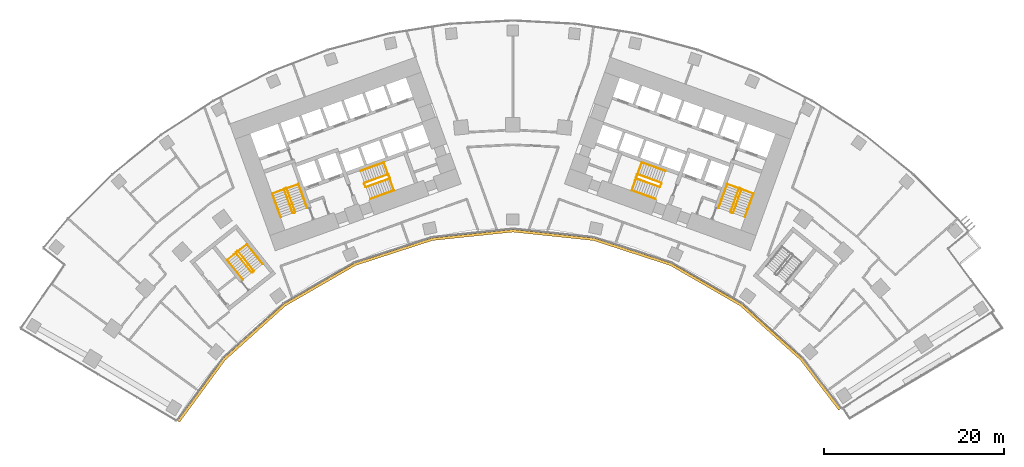
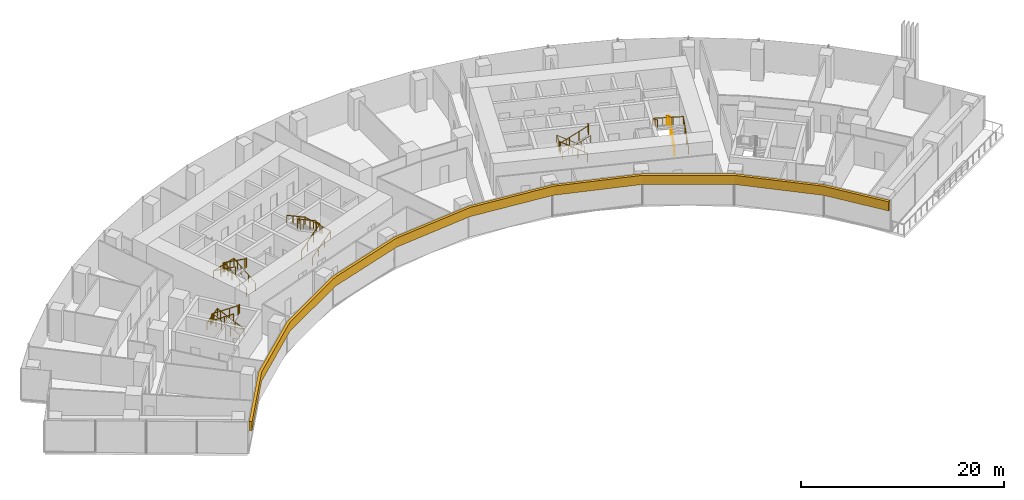
# One storey, part 20 of 21: 15 railings, 1 covering.
"""IFC4 building model written with IfcOpenShell, lengths in metres."""

from ifc_helpers import new_model, si_unit, direction, frame, origin, origin_2d, place, context, subcontext, project, spatial, polyline, circle, outline, extrude, material, layer, layer_set, type_object, element, save


model = new_model("IFC4")

# Units and contexts
model_context = context("Model", 3, precision=1e-05, world=origin(), true_north=direction((0.0, 1.0)))
body_context = subcontext(model_context, "Body", "Model", "MODEL_VIEW")
ifc_project = project(units=[si_unit("LENGTHUNIT", "METRE"), si_unit("AREAUNIT", "SQUARE_METRE"), si_unit("VOLUMEUNIT", "CUBIC_METRE"), si_unit("PLANEANGLEUNIT", "RADIAN"), si_unit("MASSUNIT", "GRAM", prefix="KILO")], contexts=[model_context])

# Site, building, storey
site_placement = place(None, origin())
site = spatial("IfcSite", under=ifc_project, at=site_placement, CompositionType="ELEMENT")
building_placement = place(site_placement, origin())
building = spatial("IfcBuilding", under=site, at=building_placement, Name="Stone Belt Terrace Tower", CompositionType="ELEMENT")
storey_placement = place(building_placement, frame((0.0, 0.0, 45.199951171875)))
storey = spatial("IfcBuildingStorey", under=building, at=storey_placement, Name="L10", CompositionType="ELEMENT", Elevation=45.199951171875)

# Railings
ifc_material_1 = material(Name="Structural steel C345", Category="steel")
railing_type_1 = type_object("IfcRailingType", Name="Stair guard 1100", PredefinedType="GUARDRAIL", material=ifc_material_1)
railing_1_placement = place(storey_placement, frame((-24.2119140625, 45.276123046875, 0.1728515625)))
element("IfcRailing", 1, at=railing_1_placement, inside=storey, type_object=railing_type_1, Name="L10 ST1A stair guard 1", PredefinedType="GUARDRAIL", context=body_context, shape_type="SweptSolid", body=[
    extrude(circle(Radius=0.02392578125, at=origin_2d()), frame((0.0, 0.0, 1.076171875), z_axis=(-0.288228637646, 0.800791768495, 0.525030280985), x_axis=(-0.940908529223, -0.338660803216, 0.0)), (0.0, 0.0, 1.0), 3.289794921875),
    extrude(circle(Radius=0.02392578125, at=origin_2d()), frame((-0.9482421875, 2.634521484375, 2.80322265625), z_axis=(-0.905209821074, 0.424964916, 0.0), x_axis=(-0.424964916, -0.905209821074, 0.0)), (0.0, 0.0, 1.0), 0.070556640625),
    extrude(circle(Radius=0.02392578125, at=origin_2d()), frame((-1.01220703125, 2.66455078125, 2.80322265625), z_axis=(-0.941105063269, -0.338114270461, 0.0), x_axis=(0.338114270461, -0.941105063269, 0.0)), (0.0, 0.0, 1.0), 0.199951171875),
    extrude(circle(Radius=0.02099609375, at=origin_2d()), origin(), (0.0, 0.0, 1.0), 1.052001953125),
    extrude(circle(Radius=0.02099609375, at=origin_2d()), frame((-0.316162109375, 0.878173828125, 0.57568359375)), (0.0, 0.0, 1.0), 1.052001953125),
    extrude(circle(Radius=0.02099609375, at=origin_2d()), frame((-0.632080078125, 1.75634765625, 1.151611328125)), (0.0, 0.0, 1.0), 1.052001953125),
    extrude(circle(Radius=0.02099609375, at=origin_2d()), frame((-0.9482421875, 2.634521484375, 1.727294921875)), (0.0, 0.0, 1.0), 1.052001953125),
    extrude(circle(Radius=0.02099609375, at=origin_2d()), frame((-1.01220703125, 2.66455078125, 1.727294921875)), (0.0, 0.0, 1.0), 1.052001953125),
    extrude(circle(Radius=0.02099609375, at=origin_2d()), frame((-1.200439453125, 2.596923828125, 1.727294921875)), (0.0, 0.0, 1.0), 1.052001953125),
])
railing_2_placement = place(storey_placement, frame((-25.4423828125, 47.80908203125, 2.07275390625)))
element("IfcRailing", 2, at=railing_2_placement, inside=storey, type_object=railing_type_1, Name="L10 ST1A stair guard 2", PredefinedType="GUARDRAIL", context=body_context, shape_type="SweptSolid", body=[
    extrude(circle(Radius=0.02392578125, at=origin_2d()), frame((0.0, 0.0, 1.076171875), z_axis=(0.288228637646, -0.800791768495, 0.525030280985), x_axis=(0.940908529223, 0.338660803216, 0.0)), (0.0, 0.0, 1.0), 3.289794921875),
    extrude(circle(Radius=0.02392578125, at=origin_2d()), frame((0.9482421875, -2.634521484375, 2.80322265625), z_axis=(0.903878284585, -0.427789722475, 0.0), x_axis=(0.427789722475, 0.903878284585, 0.0)), (0.0, 0.0, 1.0), 0.07080078125),
    extrude(circle(Radius=0.02392578125, at=origin_2d()), frame((1.01220703125, -2.664794921875, 2.80322265625), z_axis=(0.940575576748, 0.339584429008, 0.0), x_axis=(-0.339584429008, 0.940575576748, 0.0)), (0.0, 0.0, 1.0), 0.199951171875),
    extrude(circle(Radius=0.02099609375, at=origin_2d()), origin(), (0.0, 0.0, 1.0), 1.052001953125),
    extrude(circle(Radius=0.02099609375, at=origin_2d()), frame((0.316162109375, -0.878173828125, 0.57568359375)), (0.0, 0.0, 1.0), 1.052001953125),
    extrude(circle(Radius=0.02099609375, at=origin_2d()), frame((0.632080078125, -1.75634765625, 1.151611328125)), (0.0, 0.0, 1.0), 1.052001953125),
    extrude(circle(Radius=0.02099609375, at=origin_2d()), frame((0.9482421875, -2.634521484375, 1.727294921875)), (0.0, 0.0, 1.0), 1.052001953125),
    extrude(circle(Radius=0.02099609375, at=origin_2d()), frame((1.01220703125, -2.664794921875, 1.727294921875)), (0.0, 0.0, 1.0), 1.052001953125),
    extrude(circle(Radius=0.02099609375, at=origin_2d()), frame((1.2001953125, -2.596923828125, 1.727294921875)), (0.0, 0.0, 1.0), 1.052001953125),
])
railing_3_placement = place(storey_placement, frame((-16.33837890625, 48.056640625, 0.1728515625)))
element("IfcRailing", 3, at=railing_3_placement, inside=storey, type_object=railing_type_1, Name="L10 ST2A stair guard 1", PredefinedType="GUARDRAIL", context=body_context, shape_type="SweptSolid", body=[
    extrude(circle(Radius=0.02392578125, at=origin_2d()), frame((0.0, 0.0, 1.076171875), z_axis=(0.800808895155, 0.288160591223, 0.52504150989), x_axis=(-0.338583606334, 0.940936311087, 0.0)), (0.0, 0.0, 1.0), 3.289794921875),
    extrude(circle(Radius=0.02392578125, at=origin_2d()), frame((2.634521484375, 0.947998046875, 2.80322265625), z_axis=(0.427789722475, 0.903878284585, 0.0), x_axis=(-0.903878284585, 0.427789722475, 0.0)), (0.0, 0.0, 1.0), 0.07080078125),
    extrude(circle(Radius=0.02392578125, at=origin_2d()), frame((2.664794921875, 1.011962890625, 2.80322265625), z_axis=(-0.338654645739, 0.940910745459, 0.0), x_axis=(-0.940910745459, -0.338654645739, 0.0)), (0.0, 0.0, 1.0), 0.400146484375),
    extrude(circle(Radius=0.02099609375, at=origin_2d()), origin(), (0.0, 0.0, 1.0), 1.052001953125),
    extrude(circle(Radius=0.02099609375, at=origin_2d()), frame((0.878173828125, 0.31591796875, 0.57568359375)), (0.0, 0.0, 1.0), 1.052001953125),
    extrude(circle(Radius=0.02099609375, at=origin_2d()), frame((1.75634765625, 0.632080078125, 1.151611328125)), (0.0, 0.0, 1.0), 1.052001953125),
    extrude(circle(Radius=0.02099609375, at=origin_2d()), frame((2.634521484375, 0.947998046875, 1.727294921875)), (0.0, 0.0, 1.0), 1.052001953125),
    extrude(circle(Radius=0.02099609375, at=origin_2d()), frame((2.664794921875, 1.011962890625, 1.727294921875)), (0.0, 0.0, 1.0), 1.052001953125),
    extrude(circle(Radius=0.02099609375, at=origin_2d()), frame((2.529296875, 1.388427734375, 1.727294921875)), (0.0, 0.0, 1.0), 1.052001953125),
])
railing_4_placement = place(storey_placement, frame((-13.873046875, 49.47509765625, 2.07275390625)))
element("IfcRailing", 4, at=railing_4_placement, inside=storey, type_object=railing_type_1, Name="L10 ST2A stair guard 2", PredefinedType="GUARDRAIL", context=body_context, shape_type="SweptSolid", body=[
    extrude(circle(Radius=0.02392578125, at=origin_2d()), frame((0.0, 0.0, 1.076171875), z_axis=(-0.800808895155, -0.288160591223, 0.52504150989), x_axis=(0.338583606334, -0.940936311087, 0.0)), (0.0, 0.0, 1.0), 3.289794921875),
    extrude(circle(Radius=0.02392578125, at=origin_2d()), frame((-2.634521484375, -0.947998046875, 2.80322265625), z_axis=(-0.427789722475, -0.903878284585, 0.0), x_axis=(0.903878284585, -0.427789722475, 0.0)), (0.0, 0.0, 1.0), 0.07080078125),
    extrude(circle(Radius=0.02392578125, at=origin_2d()), frame((-2.664794921875, -1.011962890625, 2.80322265625), z_axis=(0.338654645739, -0.940910745459, 0.0), x_axis=(0.940910745459, 0.338654645739, 0.0)), (0.0, 0.0, 1.0), 0.400146484375),
    extrude(circle(Radius=0.02099609375, at=origin_2d()), origin(), (0.0, 0.0, 1.0), 1.052001953125),
    extrude(circle(Radius=0.02099609375, at=origin_2d()), frame((-0.878173828125, -0.31591796875, 0.57568359375)), (0.0, 0.0, 1.0), 1.052001953125),
    extrude(circle(Radius=0.02099609375, at=origin_2d()), frame((-1.75634765625, -0.632080078125, 1.151611328125)), (0.0, 0.0, 1.0), 1.052001953125),
    extrude(circle(Radius=0.02099609375, at=origin_2d()), frame((-2.634521484375, -0.947998046875, 1.727294921875)), (0.0, 0.0, 1.0), 1.052001953125),
    extrude(circle(Radius=0.02099609375, at=origin_2d()), frame((-2.664794921875, -1.011962890625, 1.727294921875)), (0.0, 0.0, 1.0), 1.052001953125),
    extrude(circle(Radius=0.02099609375, at=origin_2d()), frame((-2.529296875, -1.388427734375, 1.727294921875)), (0.0, 0.0, 1.0), 1.052001953125),
])
railing_5_placement = place(storey_placement, frame((24.494140625, 45.174560546875, 0.1728515625)))
element("IfcRailing", 5, at=railing_5_placement, inside=storey, type_object=railing_type_1, Name="L10 ST1B stair guard 1", PredefinedType="GUARDRAIL", context=body_context, shape_type="SweptSolid", body=[
    extrude(circle(Radius=0.02392578125, at=origin_2d()), frame((0.0, 0.0, 1.076171875), z_axis=(0.288228637646, 0.800791768495, 0.525030280985), x_axis=(-0.940908529223, 0.338660803216, 0.0)), (0.0, 0.0, 1.0), 3.289794921875),
    extrude(circle(Radius=0.02392578125, at=origin_2d()), frame((0.9482421875, 2.634521484375, 2.80322265625), z_axis=(-0.424964916, 0.905209821074, 0.0), x_axis=(-0.905209821074, -0.424964916, 0.0)), (0.0, 0.0, 1.0), 0.070556640625),
    extrude(circle(Radius=0.02392578125, at=origin_2d()), frame((0.918212890625, 2.698486328125, 2.80322265625), z_axis=(-0.941105063269, 0.338114270461, 0.0), x_axis=(-0.338114270461, -0.941105063269, 0.0)), (0.0, 0.0, 1.0), 0.199951171875),
    extrude(circle(Radius=0.02099609375, at=origin_2d()), origin(), (0.0, 0.0, 1.0), 1.052001953125),
    extrude(circle(Radius=0.02099609375, at=origin_2d()), frame((0.316162109375, 0.878173828125, 0.57568359375)), (0.0, 0.0, 1.0), 1.052001953125),
    extrude(circle(Radius=0.02099609375, at=origin_2d()), frame((0.632080078125, 1.75634765625, 1.151611328125)), (0.0, 0.0, 1.0), 1.052001953125),
    extrude(circle(Radius=0.02099609375, at=origin_2d()), frame((0.9482421875, 2.634521484375, 1.727294921875)), (0.0, 0.0, 1.0), 1.052001953125),
    extrude(circle(Radius=0.02099609375, at=origin_2d()), frame((0.918212890625, 2.698486328125, 1.727294921875)), (0.0, 0.0, 1.0), 1.052001953125),
    extrude(circle(Radius=0.02099609375, at=origin_2d()), frame((0.72998046875, 2.76611328125, 1.727294921875)), (0.0, 0.0, 1.0), 1.052001953125),
])
railing_6_placement = place(storey_placement, frame((25.16015625, 47.91064453125, 2.07275390625)))
element("IfcRailing", 6, at=railing_6_placement, inside=storey, type_object=railing_type_1, Name="L10 ST1B stair guard 2", PredefinedType="GUARDRAIL", context=body_context, shape_type="SweptSolid", body=[
    extrude(circle(Radius=0.02392578125, at=origin_2d()), frame((0.0, 0.0, 1.076171875), z_axis=(-0.288228637646, -0.800791768495, 0.525030280985), x_axis=(0.940908529223, -0.338660803216, 0.0)), (0.0, 0.0, 1.0), 3.289794921875),
    extrude(circle(Radius=0.02392578125, at=origin_2d()), frame((-0.9482421875, -2.634521484375, 2.80322265625), z_axis=(0.427789722475, -0.903878284585, 0.0), x_axis=(0.903878284585, 0.427789722475, 0.0)), (0.0, 0.0, 1.0), 0.07080078125),
    extrude(circle(Radius=0.02392578125, at=origin_2d()), frame((-0.91796875, -2.698486328125, 2.80322265625), z_axis=(0.940575576748, -0.339584429008, 0.0), x_axis=(0.339584429008, 0.940575576748, 0.0)), (0.0, 0.0, 1.0), 0.199951171875),
    extrude(circle(Radius=0.02099609375, at=origin_2d()), origin(), (0.0, 0.0, 1.0), 1.052001953125),
    extrude(circle(Radius=0.02099609375, at=origin_2d()), frame((-0.316162109375, -0.878173828125, 0.57568359375)), (0.0, 0.0, 1.0), 1.052001953125),
    extrude(circle(Radius=0.02099609375, at=origin_2d()), frame((-0.632080078125, -1.75634765625, 1.151611328125)), (0.0, 0.0, 1.0), 1.052001953125),
    extrude(circle(Radius=0.02099609375, at=origin_2d()), frame((-0.9482421875, -2.634521484375, 1.727294921875)), (0.0, 0.0, 1.0), 1.052001953125),
    extrude(circle(Radius=0.02099609375, at=origin_2d()), frame((-0.91796875, -2.698486328125, 1.727294921875)), (0.0, 0.0, 1.0), 1.052001953125),
    extrude(circle(Radius=0.02099609375, at=origin_2d()), frame((-0.72998046875, -2.766357421875, 1.727294921875)), (0.0, 0.0, 1.0), 1.052001953125),
])
railing_7_placement = place(storey_placement, frame((16.507568359375, 48.527099609375, 0.1728515625)))
element("IfcRailing", 7, at=railing_7_placement, inside=storey, type_object=railing_type_1, Name="L10 ST2B stair guard 1", PredefinedType="GUARDRAIL", context=body_context, shape_type="SweptSolid", body=[
    extrude(circle(Radius=0.02392578125, at=origin_2d()), frame((0.0, 0.0, 1.076171875), z_axis=(-0.800808895155, 0.288160591223, 0.52504150989), x_axis=(-0.338583606334, -0.940936311087, 0.0)), (0.0, 0.0, 1.0), 3.289794921875),
    extrude(circle(Radius=0.02392578125, at=origin_2d()), frame((-2.634521484375, 0.947998046875, 2.80322265625), z_axis=(-0.905209821074, -0.424964916, 0.0), x_axis=(0.424964916, -0.905209821074, 0.0)), (0.0, 0.0, 1.0), 0.070556640625),
    extrude(circle(Radius=0.02392578125, at=origin_2d()), frame((-2.698486328125, 0.91796875, 2.80322265625), z_axis=(-0.338654645739, -0.940910745459, 0.0), x_axis=(0.940910745459, -0.338654645739, 0.0)), (0.0, 0.0, 1.0), 0.400146484375),
    extrude(circle(Radius=0.02099609375, at=origin_2d()), origin(), (0.0, 0.0, 1.0), 1.052001953125),
    extrude(circle(Radius=0.02099609375, at=origin_2d()), frame((-0.878173828125, 0.31591796875, 0.57568359375)), (0.0, 0.0, 1.0), 1.052001953125),
    extrude(circle(Radius=0.02099609375, at=origin_2d()), frame((-1.75634765625, 0.632080078125, 1.151611328125)), (0.0, 0.0, 1.0), 1.052001953125),
    extrude(circle(Radius=0.02099609375, at=origin_2d()), frame((-2.634521484375, 0.947998046875, 1.727294921875)), (0.0, 0.0, 1.0), 1.052001953125),
    extrude(circle(Radius=0.02099609375, at=origin_2d()), frame((-2.698486328125, 0.91796875, 1.727294921875)), (0.0, 0.0, 1.0), 1.052001953125),
    extrude(circle(Radius=0.02099609375, at=origin_2d()), frame((-2.833984375, 0.54150390625, 1.727294921875)), (0.0, 0.0, 1.0), 1.052001953125),
])
railing_8_placement = place(storey_placement, frame((13.703857421875, 49.004638671875, 2.07275390625)))
element("IfcRailing", 8, at=railing_8_placement, inside=storey, type_object=railing_type_1, Name="L10 ST2B stair guard 2", PredefinedType="GUARDRAIL", context=body_context, shape_type="SweptSolid", body=[
    extrude(circle(Radius=0.02392578125, at=origin_2d()), frame((0.0, 0.0, 1.076171875), z_axis=(0.800808895155, -0.288160591223, 0.52504150989), x_axis=(0.338583606334, 0.940936311087, 0.0)), (0.0, 0.0, 1.0), 3.289794921875),
    extrude(circle(Radius=0.02392578125, at=origin_2d()), frame((2.634521484375, -0.947998046875, 2.80322265625), z_axis=(0.905209821074, 0.424964916, 0.0), x_axis=(-0.424964916, 0.905209821074, 0.0)), (0.0, 0.0, 1.0), 0.070556640625),
    extrude(circle(Radius=0.02392578125, at=origin_2d()), frame((2.698486328125, -0.91796875, 2.80322265625), z_axis=(0.338654645739, 0.940910745459, 0.0), x_axis=(-0.940910745459, 0.338654645739, 0.0)), (0.0, 0.0, 1.0), 0.400146484375),
    extrude(circle(Radius=0.02099609375, at=origin_2d()), origin(), (0.0, 0.0, 1.0), 1.052001953125),
    extrude(circle(Radius=0.02099609375, at=origin_2d()), frame((0.878173828125, -0.31591796875, 0.57568359375)), (0.0, 0.0, 1.0), 1.052001953125),
    extrude(circle(Radius=0.02099609375, at=origin_2d()), frame((1.75634765625, -0.632080078125, 1.151611328125)), (0.0, 0.0, 1.0), 1.052001953125),
    extrude(circle(Radius=0.02099609375, at=origin_2d()), frame((2.634521484375, -0.947998046875, 1.727294921875)), (0.0, 0.0, 1.0), 1.052001953125),
    extrude(circle(Radius=0.02099609375, at=origin_2d()), frame((2.698486328125, -0.91796875, 1.727294921875)), (0.0, 0.0, 1.0), 1.052001953125),
    extrude(circle(Radius=0.02099609375, at=origin_2d()), frame((2.833984375, -0.54150390625, 1.727294921875)), (0.0, 0.0, 1.0), 1.052001953125),
])
railing_9_placement = place(storey_placement, frame((-28.814208984375, 38.734619140625, 0.1728515625)))
element("IfcRailing", 9, at=railing_9_placement, inside=storey, type_object=railing_type_1, Name="L10 ST3A stair guard 1", PredefinedType="GUARDRAIL", context=body_context, shape_type="SweptSolid", body=[
    extrude(circle(Radius=0.02392578125, at=origin_2d()), frame((0.0, 0.0, 1.076171875), z_axis=(-0.530306321799, 0.665665785969, 0.525037395288), x_axis=(-0.782143211408, -0.623098705543, 0.0)), (0.0, 0.0, 1.0), 3.289794921875),
    extrude(circle(Radius=0.02392578125, at=origin_2d()), frame((-1.74462890625, 2.18994140625, 2.80322265625), z_axis=(-0.993883734674, 0.110431526075, 0.0), x_axis=(-0.110431526075, -0.993883734674, 0.0)), (0.0, 0.0, 1.0), 0.07080078125),
    extrude(circle(Radius=0.02392578125, at=origin_2d()), frame((-1.81494140625, 2.19775390625, 2.80322265625), z_axis=(-0.782533463299, -0.622608527742, 0.0), x_axis=(0.622608527742, -0.782533463299, 0.0)), (0.0, 0.0, 1.0), 0.199951171875),
    extrude(circle(Radius=0.02099609375, at=origin_2d()), origin(), (0.0, 0.0, 1.0), 1.052001953125),
    extrude(circle(Radius=0.02099609375, at=origin_2d()), frame((-0.58154296875, 0.72998046875, 0.57568359375)), (0.0, 0.0, 1.0), 1.052001953125),
    extrude(circle(Radius=0.02099609375, at=origin_2d()), frame((-1.1630859375, 1.4599609375, 1.151611328125)), (0.0, 0.0, 1.0), 1.052001953125),
    extrude(circle(Radius=0.02099609375, at=origin_2d()), frame((-1.74462890625, 2.18994140625, 1.727294921875)), (0.0, 0.0, 1.0), 1.052001953125),
    extrude(circle(Radius=0.02099609375, at=origin_2d()), frame((-1.81494140625, 2.19775390625, 1.727294921875)), (0.0, 0.0, 1.0), 1.052001953125),
    extrude(circle(Radius=0.02099609375, at=origin_2d()), frame((-1.971435546875, 2.0732421875, 1.727294921875)), (0.0, 0.0, 1.0), 1.052001953125),
])
railing_10_placement = place(storey_placement, frame((-30.793701171875, 40.737548828125, 2.07275390625)))
element("IfcRailing", 10, at=railing_10_placement, inside=storey, type_object=railing_type_1, Name="L10 ST3A stair guard 2", PredefinedType="GUARDRAIL", context=body_context, shape_type="SweptSolid", body=[
    extrude(circle(Radius=0.02392578125, at=origin_2d()), frame((0.0, 0.0, 1.076171875), z_axis=(0.530359659125, -0.665639588968, 0.525016732659), x_axis=(0.782100716982, 0.62315204284, 0.0)), (0.0, 0.0, 1.0), 3.2900390625),
    extrude(circle(Radius=0.02392578125, at=origin_2d()), frame((1.744873046875, -2.18994140625, 2.80322265625), z_axis=(0.993499272973, -0.113838458361, 0.0), x_axis=(0.113838458361, 0.993499272973, 0.0)), (0.0, 0.0, 1.0), 0.07080078125),
    extrude(circle(Radius=0.02392578125, at=origin_2d()), frame((1.815185546875, -2.197998046875, 2.80322265625), z_axis=(0.781464082609, 0.623950228458, 0.0), x_axis=(-0.623950228458, 0.781464082609, 0.0)), (0.0, 0.0, 1.0), 0.199951171875),
    extrude(circle(Radius=0.02099609375, at=origin_2d()), origin(), (0.0, 0.0, 1.0), 1.052001953125),
    extrude(circle(Radius=0.02099609375, at=origin_2d()), frame((0.58154296875, -0.72998046875, 0.57568359375)), (0.0, 0.0, 1.0), 1.052001953125),
    extrude(circle(Radius=0.02099609375, at=origin_2d()), frame((1.163330078125, -1.4599609375, 1.151611328125)), (0.0, 0.0, 1.0), 1.052001953125),
    extrude(circle(Radius=0.02099609375, at=origin_2d()), frame((1.744873046875, -2.18994140625, 1.727294921875)), (0.0, 0.0, 1.0), 1.052001953125),
    extrude(circle(Radius=0.02099609375, at=origin_2d()), frame((1.815185546875, -2.197998046875, 1.727294921875)), (0.0, 0.0, 1.0), 1.052001953125),
    extrude(circle(Radius=0.02099609375, at=origin_2d()), frame((1.971435546875, -2.0732421875, 1.727294921875)), (0.0, 0.0, 1.0), 1.052001953125),
])
railing_type_2 = type_object("IfcRailingType", Name="Stair handrail 900", PredefinedType="HANDRAIL", material=ifc_material_1)
railing_11_placement = place(storey_placement, frame((-22.894775390625, 45.750244140625, 0.1728515625)))
element("IfcRailing", 11, at=railing_11_placement, inside=storey, type_object=railing_type_2, Name="L10 ST1A stair handrail 1", PredefinedType="HANDRAIL", context=body_context, shape_type="SweptSolid", body=[
    extrude(circle(Radius=0.02392578125, at=origin_2d()), frame((0.0, 0.0, 0.8759765625), z_axis=(-0.288160591223, 0.800808895155, 0.52504150989), x_axis=(-0.940936311087, -0.338583606334, 0.0)), (0.0, 0.0, 1.0), 3.289794921875),
    extrude(circle(Radius=0.02392578125, at=origin_2d()), frame((-0.947998046875, 2.634521484375, 2.60302734375), z_axis=(-0.939464517435, -0.338106580597, 0.055591012205), x_axis=(0.338630230244, -0.940919532779, 0.0)), (0.0, 0.0, 1.0), 3.10498046875),
    extrude(circle(Radius=0.02392578125, at=origin_2d()), frame((-3.864990234375, 1.584716796875, 2.77587890625), z_axis=(0.288228637646, -0.800791768495, 0.525030280985), x_axis=(0.940908529223, 0.338660803216, 0.0)), (0.0, 0.0, 1.0), 3.289794921875),
    extrude(circle(Radius=0.02099609375, at=origin_2d()), origin(), (0.0, 0.0, 1.0), 0.851806640625),
    extrude(circle(Radius=0.02099609375, at=origin_2d()), frame((-0.31591796875, 0.878173828125, 0.57568359375)), (0.0, 0.0, 1.0), 0.851806640625),
    extrude(circle(Radius=0.02099609375, at=origin_2d()), frame((-0.632080078125, 1.75634765625, 1.151611328125)), (0.0, 0.0, 1.0), 0.851806640625),
    extrude(circle(Radius=0.02099609375, at=origin_2d()), frame((-0.947998046875, 2.634521484375, 1.727294921875)), (0.0, 0.0, 1.0), 0.851806640625),
    extrude(circle(Radius=0.02099609375, at=origin_2d()), frame((-1.92041015625, 2.28466796875, 1.784912109375)), (0.0, 0.0, 1.0), 0.851806640625),
    extrude(circle(Radius=0.02099609375, at=origin_2d()), frame((-2.892578125, 1.9345703125, 1.84228515625)), (0.0, 0.0, 1.0), 0.851806640625),
    extrude(circle(Radius=0.02099609375, at=origin_2d()), frame((-3.864990234375, 1.584716796875, 1.89990234375)), (0.0, 0.0, 1.0), 0.851806640625),
    extrude(circle(Radius=0.02099609375, at=origin_2d()), frame((-3.548828125, 0.70654296875, 2.4755859375)), (0.0, 0.0, 1.0), 0.851806640625),
    extrude(circle(Radius=0.02099609375, at=origin_2d()), frame((-3.23291015625, -0.171630859375, 3.051513671875)), (0.0, 0.0, 1.0), 0.851806640625),
    extrude(circle(Radius=0.02099609375, at=origin_2d()), frame((-2.916748046875, -1.0498046875, 3.627197265625)), (0.0, 0.0, 1.0), 0.851806640625),
])
railing_12_placement = place(storey_placement, frame((-15.8642578125, 46.7392578125, 0.1728515625)))
element("IfcRailing", 12, at=railing_12_placement, inside=storey, type_object=railing_type_2, Name="L10 ST2A stair handrail 1", PredefinedType="HANDRAIL", context=body_context, shape_type="SweptSolid", body=[
    extrude(circle(Radius=0.02392578125, at=origin_2d()), frame((0.0, 0.0, 0.8759765625), z_axis=(0.800791768495, 0.288228637646, 0.525030280985), x_axis=(-0.338660803216, 0.940908529223, 0.0)), (0.0, 0.0, 1.0), 3.289794921875),
    extrude(circle(Radius=0.02392578125, at=origin_2d()), frame((2.634521484375, 0.9482421875, 2.60302734375), z_axis=(-0.338160254016, 0.939637778147, 0.052234935458), x_axis=(-0.940922302781, -0.338622533404, 0.0)), (0.0, 0.0, 1.0), 3.304443359375),
    extrude(circle(Radius=0.02392578125, at=origin_2d()), frame((1.51708984375, 4.05322265625, 2.77587890625), z_axis=(-0.800791768495, -0.288228637646, 0.525030280985), x_axis=(0.338660803216, -0.940908529223, 0.0)), (0.0, 0.0, 1.0), 3.289794921875),
    extrude(circle(Radius=0.02099609375, at=origin_2d()), origin(), (0.0, 0.0, 1.0), 0.851806640625),
    extrude(circle(Radius=0.02099609375, at=origin_2d()), frame((0.878173828125, 0.316162109375, 0.57568359375)), (0.0, 0.0, 1.0), 0.851806640625),
    extrude(circle(Radius=0.02099609375, at=origin_2d()), frame((1.75634765625, 0.632080078125, 1.151611328125)), (0.0, 0.0, 1.0), 0.851806640625),
    extrude(circle(Radius=0.02099609375, at=origin_2d()), frame((2.634521484375, 0.9482421875, 1.727294921875)), (0.0, 0.0, 1.0), 0.851806640625),
    extrude(circle(Radius=0.02099609375, at=origin_2d()), frame((2.261962890625, 1.983154296875, 1.784912109375)), (0.0, 0.0, 1.0), 0.851806640625),
    extrude(circle(Radius=0.02099609375, at=origin_2d()), frame((1.8896484375, 3.018310546875, 1.84228515625)), (0.0, 0.0, 1.0), 0.851806640625),
    extrude(circle(Radius=0.02099609375, at=origin_2d()), frame((1.51708984375, 4.05322265625, 1.89990234375)), (0.0, 0.0, 1.0), 0.851806640625),
    extrude(circle(Radius=0.02099609375, at=origin_2d()), frame((0.638916015625, 3.737060546875, 2.4755859375)), (0.0, 0.0, 1.0), 0.851806640625),
    extrude(circle(Radius=0.02099609375, at=origin_2d()), frame((-0.2392578125, 3.421142578125, 3.051513671875)), (0.0, 0.0, 1.0), 0.851806640625),
    extrude(circle(Radius=0.02099609375, at=origin_2d()), frame((-1.117431640625, 3.10498046875, 3.627197265625)), (0.0, 0.0, 1.0), 0.851806640625),
])
railing_13_placement = place(storey_placement, frame((25.8115234375, 44.700439453125, 0.1728515625)))
element("IfcRailing", 13, at=railing_13_placement, inside=storey, type_object=railing_type_2, Name="L10 ST1B stair handrail 1", PredefinedType="HANDRAIL", context=body_context, shape_type="SweptSolid", body=[
    extrude(circle(Radius=0.02392578125, at=origin_2d()), frame((0.0, 0.0, 0.8759765625), z_axis=(0.288228637646, 0.800791768495, 0.525030280985), x_axis=(-0.940908529223, 0.338660803216, 0.0)), (0.0, 0.0, 1.0), 3.289794921875),
    extrude(circle(Radius=0.02392578125, at=origin_2d()), frame((0.9482421875, 2.634521484375, 2.60302734375), z_axis=(-0.939464517435, 0.338106580597, 0.055591012205), x_axis=(-0.338630230244, -0.940919532779, 0.0)), (0.0, 0.0, 1.0), 3.10498046875),
    extrude(circle(Radius=0.02392578125, at=origin_2d()), frame((-1.96875, 3.684326171875, 2.77587890625), z_axis=(-0.288160591223, -0.800808895155, 0.52504150989), x_axis=(0.940936311087, -0.338583606334, 0.0)), (0.0, 0.0, 1.0), 3.289794921875),
    extrude(circle(Radius=0.02099609375, at=origin_2d()), origin(), (0.0, 0.0, 1.0), 0.851806640625),
    extrude(circle(Radius=0.02099609375, at=origin_2d()), frame((0.316162109375, 0.878173828125, 0.57568359375)), (0.0, 0.0, 1.0), 0.851806640625),
    extrude(circle(Radius=0.02099609375, at=origin_2d()), frame((0.632080078125, 1.75634765625, 1.151611328125)), (0.0, 0.0, 1.0), 0.851806640625),
    extrude(circle(Radius=0.02099609375, at=origin_2d()), frame((0.9482421875, 2.634521484375, 1.727294921875)), (0.0, 0.0, 1.0), 0.851806640625),
    extrude(circle(Radius=0.02099609375, at=origin_2d()), frame((-0.024169921875, 2.984375, 1.784912109375)), (0.0, 0.0, 1.0), 0.851806640625),
    extrude(circle(Radius=0.02099609375, at=origin_2d()), frame((-0.996337890625, 3.33447265625, 1.84228515625)), (0.0, 0.0, 1.0), 0.851806640625),
    extrude(circle(Radius=0.02099609375, at=origin_2d()), frame((-1.96875, 3.684326171875, 1.89990234375)), (0.0, 0.0, 1.0), 0.851806640625),
    extrude(circle(Radius=0.02099609375, at=origin_2d()), frame((-2.28466796875, 2.80615234375, 2.4755859375)), (0.0, 0.0, 1.0), 0.851806640625),
    extrude(circle(Radius=0.02099609375, at=origin_2d()), frame((-2.600830078125, 1.927978515625, 3.051513671875)), (0.0, 0.0, 1.0), 0.851806640625),
    extrude(circle(Radius=0.02099609375, at=origin_2d()), frame((-2.916748046875, 1.0498046875, 3.627197265625)), (0.0, 0.0, 1.0), 0.851806640625),
])
railing_14_placement = place(storey_placement, frame((16.981689453125, 49.84423828125, 0.1728515625)))
element("IfcRailing", 14, at=railing_14_placement, inside=storey, type_object=railing_type_2, Name="L10 ST2B stair handrail 1", PredefinedType="HANDRAIL", context=body_context, shape_type="SweptSolid", body=[
    extrude(circle(Radius=0.02392578125, at=origin_2d()), frame((0.0, 0.0, 0.8759765625), z_axis=(-0.800791768495, 0.288228637646, 0.525030280985), x_axis=(-0.338660803216, -0.940908529223, 0.0)), (0.0, 0.0, 1.0), 3.289794921875),
    extrude(circle(Radius=0.02392578125, at=origin_2d()), frame((-2.634521484375, 0.9482421875, 2.60302734375), z_axis=(-0.338160254016, -0.939637778147, 0.052234935458), x_axis=(0.940922302781, -0.338622533404, 0.0)), (0.0, 0.0, 1.0), 3.304443359375),
    extrude(circle(Radius=0.02392578125, at=origin_2d()), frame((-3.751953125, -2.15673828125, 2.77587890625), z_axis=(0.800791768495, -0.288228637646, 0.525030280985), x_axis=(0.338660803216, 0.940908529223, 0.0)), (0.0, 0.0, 1.0), 3.289794921875),
    extrude(circle(Radius=0.02099609375, at=origin_2d()), origin(), (0.0, 0.0, 1.0), 0.851806640625),
    extrude(circle(Radius=0.02099609375, at=origin_2d()), frame((-0.878173828125, 0.316162109375, 0.57568359375)), (0.0, 0.0, 1.0), 0.851806640625),
    extrude(circle(Radius=0.02099609375, at=origin_2d()), frame((-1.75634765625, 0.632080078125, 1.151611328125)), (0.0, 0.0, 1.0), 0.851806640625),
    extrude(circle(Radius=0.02099609375, at=origin_2d()), frame((-2.634521484375, 0.9482421875, 1.727294921875)), (0.0, 0.0, 1.0), 0.851806640625),
    extrude(circle(Radius=0.02099609375, at=origin_2d()), frame((-3.007080078125, -0.086669921875, 1.784912109375)), (0.0, 0.0, 1.0), 0.851806640625),
    extrude(circle(Radius=0.02099609375, at=origin_2d()), frame((-3.37939453125, -1.121826171875, 1.84228515625)), (0.0, 0.0, 1.0), 0.851806640625),
    extrude(circle(Radius=0.02099609375, at=origin_2d()), frame((-3.751953125, -2.15673828125, 1.89990234375)), (0.0, 0.0, 1.0), 0.851806640625),
    extrude(circle(Radius=0.02099609375, at=origin_2d()), frame((-2.873779296875, -2.472900390625, 2.4755859375)), (0.0, 0.0, 1.0), 0.851806640625),
    extrude(circle(Radius=0.02099609375, at=origin_2d()), frame((-1.99560546875, -2.788818359375, 3.051513671875)), (0.0, 0.0, 1.0), 0.851806640625),
    extrude(circle(Radius=0.02099609375, at=origin_2d()), frame((-1.117431640625, -3.10498046875, 3.627197265625)), (0.0, 0.0, 1.0), 0.851806640625),
])
railing_15_placement = place(storey_placement, frame((-27.836669921875, 39.513427734375, 0.1728515625)))
element("IfcRailing", 15, at=railing_15_placement, inside=storey, type_object=railing_type_2, Name="L10 ST3A stair handrail 1", PredefinedType="HANDRAIL", context=body_context, shape_type="SweptSolid", body=[
    extrude(circle(Radius=0.02392578125, at=origin_2d()), frame((0.0, 0.0, 0.8759765625), z_axis=(-0.530306321799, 0.665665785969, 0.525037395288), x_axis=(-0.782143211408, -0.623098705543, 0.0)), (0.0, 0.0, 1.0), 3.289794921875),
    extrude(circle(Radius=0.02392578125, at=origin_2d()), frame((-1.74462890625, 2.18994140625, 2.60302734375), z_axis=(-0.780661215256, -0.62191806513, 0.061530376721), x_axis=(0.623098705543, -0.782143211408, 0.0)), (0.0, 0.0, 1.0), 2.80517578125),
    extrude(circle(Radius=0.02392578125, at=origin_2d()), frame((-3.9345703125, 0.4453125, 2.77587890625), z_axis=(0.530306321799, -0.665665785969, 0.525037395288), x_axis=(0.782143211408, 0.623098705543, 0.0)), (0.0, 0.0, 1.0), 3.289794921875),
    extrude(circle(Radius=0.02099609375, at=origin_2d()), origin(), (0.0, 0.0, 1.0), 0.851806640625),
    extrude(circle(Radius=0.02099609375, at=origin_2d()), frame((-0.58154296875, 0.72998046875, 0.57568359375)), (0.0, 0.0, 1.0), 0.851806640625),
    extrude(circle(Radius=0.02099609375, at=origin_2d()), frame((-1.1630859375, 1.4599609375, 1.151611328125)), (0.0, 0.0, 1.0), 0.851806640625),
    extrude(circle(Radius=0.02099609375, at=origin_2d()), frame((-1.74462890625, 2.18994140625, 1.727294921875)), (0.0, 0.0, 1.0), 0.851806640625),
    extrude(circle(Radius=0.02099609375, at=origin_2d()), frame((-2.474609375, 1.6083984375, 1.784912109375)), (0.0, 0.0, 1.0), 0.851806640625),
    extrude(circle(Radius=0.02099609375, at=origin_2d()), frame((-3.20458984375, 1.02685546875, 1.84228515625)), (0.0, 0.0, 1.0), 0.851806640625),
    extrude(circle(Radius=0.02099609375, at=origin_2d()), frame((-3.9345703125, 0.4453125, 1.89990234375)), (0.0, 0.0, 1.0), 0.851806640625),
    extrude(circle(Radius=0.02099609375, at=origin_2d()), frame((-3.35302734375, -0.28466796875, 2.4755859375)), (0.0, 0.0, 1.0), 0.851806640625),
    extrude(circle(Radius=0.02099609375, at=origin_2d()), frame((-2.771484375, -1.0146484375, 3.051513671875)), (0.0, 0.0, 1.0), 0.851806640625),
    extrude(circle(Radius=0.02099609375, at=origin_2d()), frame((-2.18994140625, -1.74462890625, 3.627197265625)), (0.0, 0.0, 1.0), 0.851806640625),
])

# Covering
ifc_material_2 = material(Name="Terracotta coloured glazed ceramic", Category="masonry")
ifc_layer = layer(ifc_material_2, 0.300048828125)
ifc_layer_set = layer_set([ifc_layer], Name="Terracotta spandrel band 300 x 1100")
covering_type = type_object("IfcCoveringType", Name="Terracotta spandrel band 300 x 1100", PredefinedType="CLADDING", material=ifc_layer_set)
covering_placement = place(storey_placement, frame((0.0, 0.0, 2.699951171875)))
element("IfcCovering", 16, at=covering_placement, inside=storey, type_object=covering_type, Name="BAND L10", PredefinedType="CLADDING", context=body_context, shape_type="SweptSolid", body=[
    extrude(outline(polyline([(-37.3134765625, 22.068115234375), (-32.215087890625, 29.006103515625), (-25.47998046875, 35.0703125), (-17.631591796875, 39.6015625), (-9.0126953125, 42.40185546875), (0.0, 43.34912109375), (9.0126953125, 42.40185546875), (17.631591796875, 39.6015625), (25.47998046875, 35.0703125), (32.216064453125, 29.005126953125), (36.48486328125, 23.412109375), (36.246337890625, 23.230224609375), (31.99462890625, 28.80078125), (25.302734375, 34.826171875), (17.509033203125, 39.325927734375), (8.9501953125, 42.10693359375), (0.0, 43.047607421875), (-8.9501953125, 42.10693359375), (-17.509033203125, 39.325927734375), (-25.302734375, 34.826171875), (-31.991455078125, 28.8037109375), (-37.071533203125, 21.890380859375), (-37.3134765625, 22.068115234375)])), origin(), (0.0, 0.0, 1.0), 1.10009765625),
])

save(model, "model.ifc")
